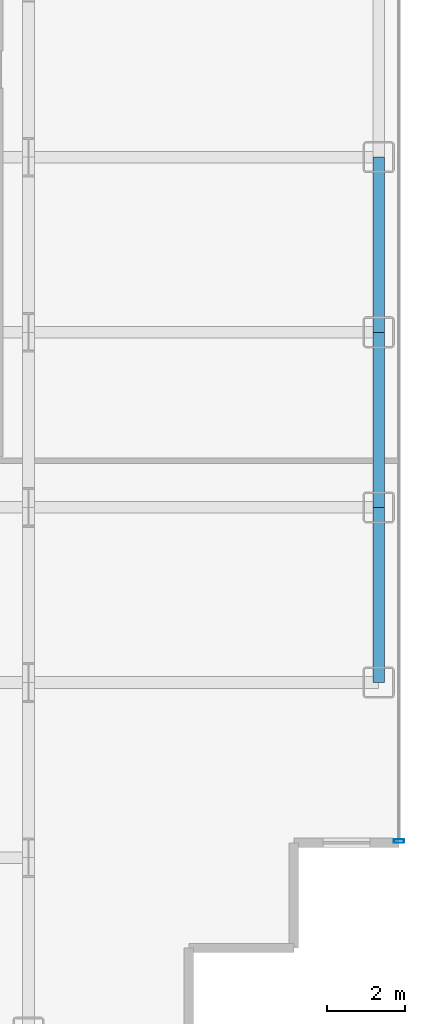
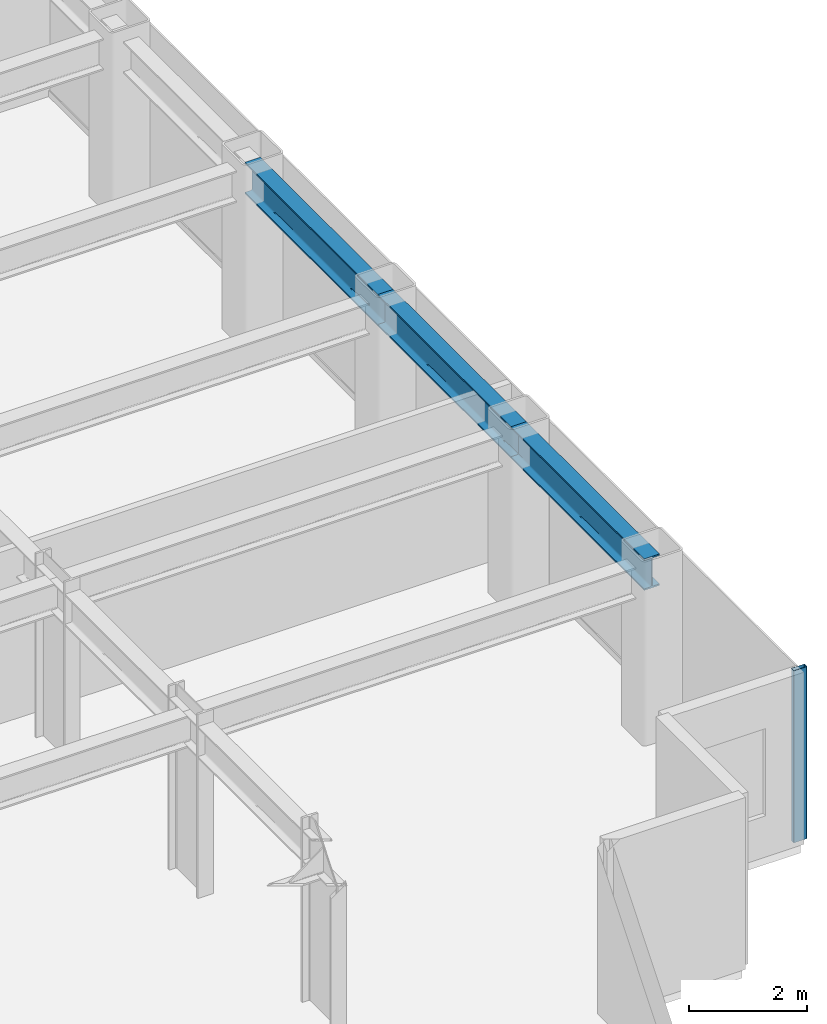
# One storey, part 16 of 26: 3 beams, 1 member, 1 element without a shape of its own.
"""IFC4 building model written with IfcOpenShell, lengths in metres."""

from ifc_helpers import new_model, si_unit, direction, frame, origin, origin_2d, place, context, subcontext, project, spatial, hollow_rectangle, i_section, extrude, source, transform, mapped, material, layer, layer_set, material_profile, profile_set, type_object, element, aggregate, save


model = new_model("IFC4")

# Units and contexts
model_context = context("Model", 3, precision=1e-05, world=origin(), true_north=direction((0.0, 1.0)))
body_context = subcontext(model_context, "Body", "Model", "MODEL_VIEW")
ifc_project = project(units=[si_unit("LENGTHUNIT", "METRE"), si_unit("AREAUNIT", "SQUARE_METRE"), si_unit("VOLUMEUNIT", "CUBIC_METRE"), si_unit("PLANEANGLEUNIT", "RADIAN"), si_unit("MASSUNIT", "GRAM", prefix="KILO")], contexts=[model_context])

# Site, building, storey
site_placement = place(None, origin())
site = spatial("IfcSite", under=ifc_project, at=site_placement, CompositionType="ELEMENT")
building_placement = place(site_placement, origin())
building = spatial("IfcBuilding", under=site, at=building_placement, Name="Nefas-Gora Pilgrimage Tower", CompositionType="ELEMENT")
storey_placement = place(building_placement, frame((0.0, 0.0, 117.39990234375)))
storey = spatial("IfcBuildingStorey", under=building, at=storey_placement, Name="L28", CompositionType="ELEMENT", Elevation=117.39990234375)

# Beams
ifc_material_1 = material(Name="Steel S355", Category="steel")
ifc_material_profile_1 = material_profile(ifc_material_1, i_section(OverallWidth=0.300048828125, OverallDepth=0.64990234375, WebThickness=0.01611328125, FlangeThickness=0.031005859375, FilletRadius=0.027099609375, at=origin_2d()), Name="HEB 650")
ifc_profile_set_1 = profile_set([ifc_material_profile_1], Name="Steel S355")
beam_type = type_object("IfcBeamType", Name="BM-SPN-HEB500", PredefinedType="SPANDREL", material=ifc_profile_set_1)
shared_shape_1 = source(origin(), body_context, "Body", "SweptSolid", [
    extrude(i_section(OverallWidth=0.300048828125, OverallDepth=0.64990234375, WebThickness=0.01611328125, FlangeThickness=0.031005859375, FilletRadius=0.027099609375, at=origin_2d()), origin(), (0.0, 0.0, 1.0), 4.5),
])
for number, where, z_axis, x_axis, name in (
    (1, (33.75, -13.5, 3.22509765625), (0.0, 1.0, 0.0), (-1.0, 0.0, 0.0), "L28 SP-02 beam"),
    (2, (33.75, -9.0, 3.22509765625), (0.0, 1.0, 0.0), (-1.0, 0.0, 0.0), "L28 SP-02 beam"),
    (3, (33.75, -4.5, 3.22509765625), (0.0, 1.0, 0.0), (-1.0, 0.0, 0.0), "L28 SP-02 beam"),
):
    element("IfcBeam", number, at=place(storey_placement, frame(where, z_axis=z_axis, x_axis=x_axis)), inside=storey, type_object=beam_type, Name=name, PredefinedType="SPANDREL", context=body_context, shape_type="MappedRepresentation", body=[
        mapped(shared_shape_1, transform((0.0, 0.0, 0.0), x_axis=(1.0, 0.0, 0.0), y_axis=(0.0, 1.0, 0.0), z_axis=(0.0, 0.0, 1.0), scale=1.0)),
    ])

# Curtain wall, member
ifc_material_2 = material(Name="Dark ceramic-fritted solar-control aluminium-glass curtain wall", Category="aluminium")
ifc_layer = layer(ifc_material_2, 0.219970703125)
ifc_layer_set = layer_set([ifc_layer], Name="Dark ceramic-fritted solar-control aluminium-glass curtain wall")
curtain_wall_type = type_object("IfcCurtainWallType", Name="CW-SYS-2", PredefinedType="NOTDEFINED", material=ifc_layer_set)
curtain_wall_placement = place(storey_placement, origin())
curtain_wall = element("IfcCurtainWall", 4, at=curtain_wall_placement, inside=storey, type_object=curtain_wall_type, Name="L28 Unitised Curtain Wall CW2", PredefinedType="NOTDEFINED")
ifc_material_3 = material(Name="Anodised architectural aluminium", Category="aluminium")
ifc_material_profile_2 = material_profile(ifc_material_3, hollow_rectangle(XDim=0.090087890625, YDim=0.260009765625, WallThickness=0.006103515625, InnerFilletRadius=0.006103515625, OuterFilletRadius=0.011962890625, at=origin_2d()), Name="ALU MULLION 90x260")
ifc_profile_set_2 = profile_set([ifc_material_profile_2], Name="Anodised architectural aluminium")
member_type = type_object("IfcMemberType", Name="CWM-MUL-2", PredefinedType="MULLION", material=ifc_profile_set_2)
shared_shape_2 = source(origin(), body_context, "Body", "SweptSolid", [
    extrude(hollow_rectangle(XDim=0.090087890625, YDim=0.260009765625, WallThickness=0.006103515625, InnerFilletRadius=0.006103515625, OuterFilletRadius=0.011962890625, at=origin_2d()), origin(), (0.0, 0.0, 1.0), 3.550048828125),
])
member_placement = place(storey_placement, frame((34.27001953125, -17.574951171875, 0.0), z_axis=(0.0, 0.0, 1.0), x_axis=(0.0, 1.0, 0.0)))
member = element("IfcMember", 5, at=member_placement, type_object=member_type, Name="CW2 Mullion 1", PredefinedType="MULLION", context=body_context, shape_type="MappedRepresentation", body=[
    mapped(shared_shape_2, transform((0.0, 0.0, 0.0), x_axis=(1.0, 0.0, 0.0), y_axis=(0.0, 1.0, 0.0), z_axis=(0.0, 0.0, 1.0), scale=1.0)),
])
aggregate(curtain_wall, [member])

save(model, "model.ifc")
